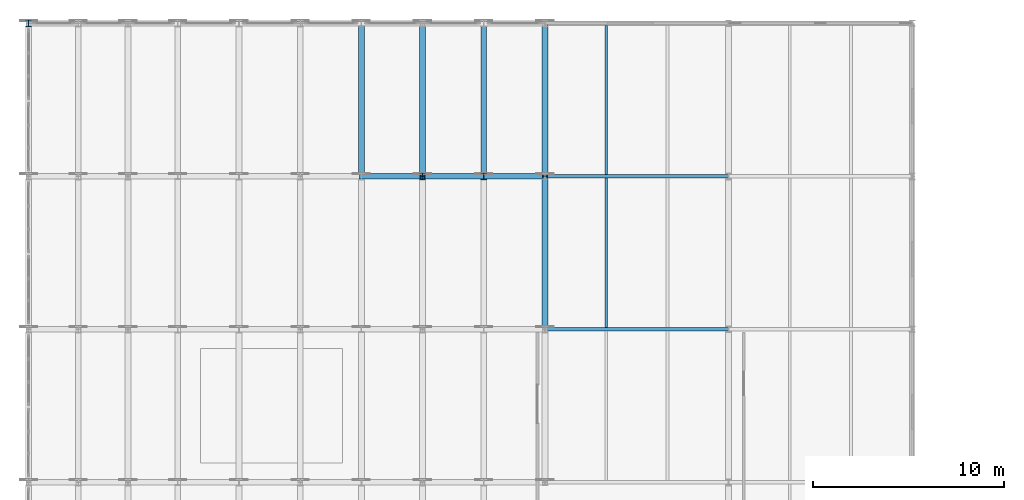
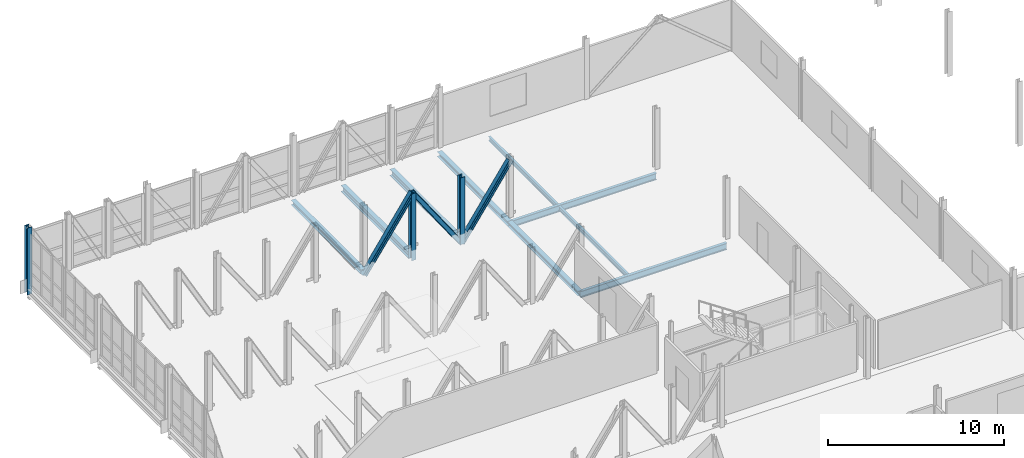
# One storey, part 41 of 73: 9 beams, 6 members.
"""IFC4 building model written with IfcOpenShell, lengths in metres."""

from ifc_helpers import new_model, si_unit, direction, frame, origin, origin_2d, place, context, subcontext, project, spatial, i_section, extrude, material, material_profile, profile_set, type_object, element, save


model = new_model("IFC4")

# Units and contexts
model_context = context("Model", 3, precision=1e-05, world=origin(), true_north=direction((0.0, 1.0)))
body_context = subcontext(model_context, "Body", "Model", "MODEL_VIEW")
ifc_project = project(units=[si_unit("LENGTHUNIT", "METRE"), si_unit("AREAUNIT", "SQUARE_METRE"), si_unit("VOLUMEUNIT", "CUBIC_METRE"), si_unit("PLANEANGLEUNIT", "RADIAN"), si_unit("MASSUNIT", "GRAM", prefix="KILO")], contexts=[model_context])

# Site, building, storey
site_placement = place(None, origin())
site = spatial("IfcSite", under=ifc_project, at=site_placement, CompositionType="ELEMENT")
building_placement = place(site_placement, origin())
building = spatial("IfcBuilding", under=site, at=building_placement, Name="Alderhovde Museum", CompositionType="ELEMENT")
storey_placement = place(building_placement, frame((0.0, 0.0, 12.89990234375)))
storey = spatial("IfcBuildingStorey", under=building, at=storey_placement, Name="L03", CompositionType="ELEMENT", Elevation=12.89990234375)

# Beams
ifc_material_1 = material(Name="Steel S355J2", Category="steel")
ifc_material_profile_1 = material_profile(ifc_material_1, i_section(OverallWidth=0.300048828125, OverallDepth=0.330078125, WebThickness=0.009521484375, FlangeThickness=0.0166015625, FilletRadius=0.027099609375, at=origin_2d()), Name="HEA 340")
ifc_profile_set_1 = profile_set([ifc_material_profile_1], Name="Steel S355J2")
beam_type_1 = type_object("IfcBeamType", Name="BM-HEA340", PredefinedType="BEAM", material=ifc_profile_set_1)
for number, where, z_axis, x_axis, name in (
    (1, (19.199951171875, 104.0, -0.48486328125), (0.0, 1.0, 0.0), (-1.0, 0.0, 0.0), "L03 Grid Beam X=19.2 (104.0 TO 112.0)"),
    (2, (28.800048828125, 96.0, -0.48486328125), (0.0, 1.0, 0.0), (-1.0, 0.0, 0.0), "L03 Grid Beam X=28.8 (96.0 TO 104.0)"),
    (3, (28.800048828125, 104.0, -0.48486328125), (0.0, 1.0, 0.0), (-1.0, 0.0, 0.0), "L03 Grid Beam X=28.8 (104.0 TO 112.0)"),
):
    element("IfcBeam", number, at=place(storey_placement, frame(where, z_axis=z_axis, x_axis=x_axis)), inside=storey, type_object=beam_type_1, Name=name, PredefinedType="BEAM", context=body_context, shape_type="SweptSolid", body=[
        extrude(i_section(OverallWidth=0.300048828125, OverallDepth=0.330078125, WebThickness=0.009521484375, FlangeThickness=0.0166015625, FilletRadius=0.027099609375, at=origin_2d()), origin(), (0.0, 0.0, 1.0), 8.0),
    ])
ifc_material_2 = material(Name="Steel S355J2", Category="steel")
ifc_material_profile_2 = material_profile(ifc_material_2, i_section(OverallWidth=0.300048828125, OverallDepth=0.43994140625, WebThickness=0.011474609375, FlangeThickness=0.02099609375, FilletRadius=0.027099609375, at=origin_2d()), Name="HEA 450")
ifc_profile_set_2 = profile_set([ifc_material_profile_2], Name="Steel S355J2")
beam_type_2 = type_object("IfcBeamType", Name="BM-HEA450", PredefinedType="BEAM", material=ifc_profile_set_2)
for number, where, z_axis, x_axis, name in (
    (4, (22.39990234375, 104.14990234375, -0.539794921875), (0.0, 1.0, 0.0), (-1.0, 0.0, 0.0), "L03 Transfer Transverse Beam X=22.4"),
    (5, (25.60009765625, 104.14990234375, -0.539794921875), (0.0, 1.0, 0.0), (-1.0, 0.0, 0.0), "L03 Transfer Transverse Beam X=25.6"),
):
    element("IfcBeam", number, at=place(storey_placement, frame(where, z_axis=z_axis, x_axis=x_axis)), inside=storey, type_object=beam_type_2, Name=name, PredefinedType="BEAM", context=body_context, shape_type="SweptSolid", body=[
        extrude(i_section(OverallWidth=0.300048828125, OverallDepth=0.43994140625, WebThickness=0.011474609375, FlangeThickness=0.02099609375, FilletRadius=0.027099609375, at=origin_2d()), origin(), (0.0, 0.0, 1.0), 7.7001953125),
    ])
ifc_material_3 = material(Name="Steel S355J2", Category="steel")
ifc_material_profile_3 = material_profile(ifc_material_3, i_section(OverallWidth=0.18994140625, OverallDepth=0.449951171875, WebThickness=0.009521484375, FlangeThickness=0.0146484375, FilletRadius=0.02099609375, at=origin_2d()), Name="IPE 450")
ifc_profile_set_3 = profile_set([ifc_material_profile_3], Name="Steel S355J2")
beam_type_3 = type_object("IfcBeamType", Name="BM-IPE450", PredefinedType="BEAM", material=ifc_profile_set_3)
for number, where, z_axis, x_axis, name in (
    (6, (28.800048828125, 96.0, -0.544921875), (1.0, 0.0, 0.0), (0.0, 1.0, 0.0), "L03 Grid Beam Y=96.0 (28.8 TO 38.4)"),
    (7, (28.800048828125, 104.0, -0.544921875), (1.0, 0.0, 0.0), (0.0, 1.0, 0.0), "L03 Grid Beam Y=104.0 (28.8 TO 38.4)"),
):
    element("IfcBeam", number, at=place(storey_placement, frame(where, z_axis=z_axis, x_axis=x_axis)), inside=storey, type_object=beam_type_3, Name=name, PredefinedType="BEAM", context=body_context, shape_type="SweptSolid", body=[
        extrude(i_section(OverallWidth=0.18994140625, OverallDepth=0.449951171875, WebThickness=0.009521484375, FlangeThickness=0.0146484375, FilletRadius=0.02099609375, at=origin_2d()), origin(), (0.0, 0.0, 1.0), 9.599853515625),
    ])
ifc_material_4 = material(Name="Steel S355J2", Category="steel")
ifc_material_profile_4 = material_profile(ifc_material_4, i_section(OverallWidth=0.14990234375, OverallDepth=0.300048828125, WebThickness=0.007080078125, FlangeThickness=0.0107421875, FilletRadius=0.014892578125, at=origin_2d()), Name="IPE 300")
ifc_profile_set_4 = profile_set([ifc_material_profile_4], Name="Steel S355J2")
beam_type_4 = type_object("IfcBeamType", Name="JST-IPE300", PredefinedType="JOIST", material=ifc_profile_set_4)
beam_1_placement = place(storey_placement, frame((32.0, 96.094970703125, -0.469970703125), z_axis=(0.0, 1.0, 0.0), x_axis=(-1.0, 0.0, 0.0)))
element("IfcBeam", 8, at=beam_1_placement, inside=storey, type_object=beam_type_4, Name="L03 Composite Joist X=32.0 (96.0 TO 104.0)", PredefinedType="JOIST", context=body_context, shape_type="SweptSolid", body=[
    extrude(i_section(OverallWidth=0.14990234375, OverallDepth=0.300048828125, WebThickness=0.007080078125, FlangeThickness=0.0107421875, FilletRadius=0.014892578125, at=origin_2d()), origin(), (0.0, 0.0, 1.0), 7.81005859375),
])
beam_2_placement = place(storey_placement, frame((32.0, 104.094970703125, -0.469970703125), z_axis=(0.0, 1.0, 0.0), x_axis=(-1.0, 0.0, 0.0)))
element("IfcBeam", 9, at=beam_2_placement, inside=storey, type_object=beam_type_4, Name="L03 Composite Joist X=32.0 (104.0 TO 112.0)", PredefinedType="JOIST", context=body_context, shape_type="SweptSolid", body=[
    extrude(i_section(OverallWidth=0.14990234375, OverallDepth=0.300048828125, WebThickness=0.007080078125, FlangeThickness=0.0107421875, FilletRadius=0.014892578125, at=origin_2d()), origin(), (0.0, 0.0, 1.0), 7.775146484375),
])

# Members
ifc_material_5 = material(Name="Steel S355J2", Category="steel")
ifc_material_profile_5 = material_profile(ifc_material_5, i_section(OverallWidth=0.300048828125, OverallDepth=0.300048828125, WebThickness=0.010986328125, FlangeThickness=0.01904296875, FilletRadius=0.027099609375, at=origin_2d()), Name="HEB 300")
ifc_profile_set_5 = profile_set([ifc_material_profile_5], Name="Steel S355J2")
member_type_1 = type_object("IfcMemberType", Name="TR-DG-HEB300", PredefinedType="STRUT", material=ifc_profile_set_5)
member_1_placement = place(storey_placement, frame((19.199951171875, 104.0, -0.719970703125), z_axis=(0.567715748774, 0.0, 0.823224652567), x_axis=(0.0, 1.0, 0.0)))
element("IfcMember", 10, at=member_1_placement, inside=storey, type_object=member_type_1, Name="Transfer Truss Y=104 T1 Diagonal 7", PredefinedType="STRUT", context=body_context, shape_type="SweptSolid", body=[
    extrude(i_section(OverallWidth=0.300048828125, OverallDepth=0.300048828125, WebThickness=0.010986328125, FlangeThickness=0.01904296875, FilletRadius=0.027099609375, at=origin_2d()), origin(), (0.0, 0.0, 1.0), 5.636474609375),
])
member_2_placement = place(storey_placement, frame((22.39990234375, 104.0, 3.920166015625), z_axis=(0.567745101494, 0.0, -0.823204409445), x_axis=(0.0, 1.0, 0.0)))
element("IfcMember", 11, at=member_2_placement, inside=storey, type_object=member_type_1, Name="Transfer Truss Y=104 T1 Diagonal 8", PredefinedType="STRUT", context=body_context, shape_type="SweptSolid", body=[
    extrude(i_section(OverallWidth=0.300048828125, OverallDepth=0.300048828125, WebThickness=0.010986328125, FlangeThickness=0.01904296875, FilletRadius=0.027099609375, at=origin_2d()), origin(), (0.0, 0.0, 1.0), 5.63671875),
])
member_3_placement = place(storey_placement, frame((25.60009765625, 104.0, -0.719970703125), z_axis=(0.567715748774, 0.0, 0.823224652567), x_axis=(0.0, 1.0, 0.0)))
element("IfcMember", 12, at=member_3_placement, inside=storey, type_object=member_type_1, Name="Transfer Truss Y=104 T1 Diagonal 9", PredefinedType="STRUT", context=body_context, shape_type="SweptSolid", body=[
    extrude(i_section(OverallWidth=0.300048828125, OverallDepth=0.300048828125, WebThickness=0.010986328125, FlangeThickness=0.01904296875, FilletRadius=0.027099609375, at=origin_2d()), origin(), (0.0, 0.0, 1.0), 5.636474609375),
])
ifc_material_6 = material(Name="Steel S355J2", Category="steel")
ifc_material_profile_6 = material_profile(ifc_material_6, i_section(OverallWidth=0.300048828125, OverallDepth=0.340087890625, WebThickness=0.011962890625, FlangeThickness=0.021484375, FilletRadius=0.027099609375, at=origin_2d()), Name="HEB 340")
ifc_profile_set_6 = profile_set([ifc_material_profile_6], Name="Steel S355J2")
member_type_2 = type_object("IfcMemberType", Name="TR-PS-HEB340", PredefinedType="POST", material=ifc_profile_set_6)
for number, where, z_axis, x_axis, name in (
    (13, (22.39990234375, 104.0, -0.719970703125), (0.0, 0.0, 1.0), (1.0, 0.0, 0.0), "Transfer Truss Y=104 T1 Post 8"),
    (14, (25.60009765625, 104.0, -0.719970703125), (0.0, 0.0, 1.0), (1.0, 0.0, 0.0), "Transfer Truss Y=104 T1 Post 9"),
    (15, (1.800048828125, 112.0, -0.719970703125), (0.0, 0.0, 1.0), (1.0, 0.0, 0.0), "Transfer Truss Y=112 T1 Post 1"),
):
    element("IfcMember", number, at=place(storey_placement, frame(where, z_axis=z_axis, x_axis=x_axis)), inside=storey, type_object=member_type_2, Name=name, PredefinedType="POST", context=body_context, shape_type="SweptSolid", body=[
        extrude(i_section(OverallWidth=0.300048828125, OverallDepth=0.340087890625, WebThickness=0.011962890625, FlangeThickness=0.021484375, FilletRadius=0.027099609375, at=origin_2d()), origin(), (0.0, 0.0, 1.0), 4.64013671875),
    ])

save(model, "model.ifc")
